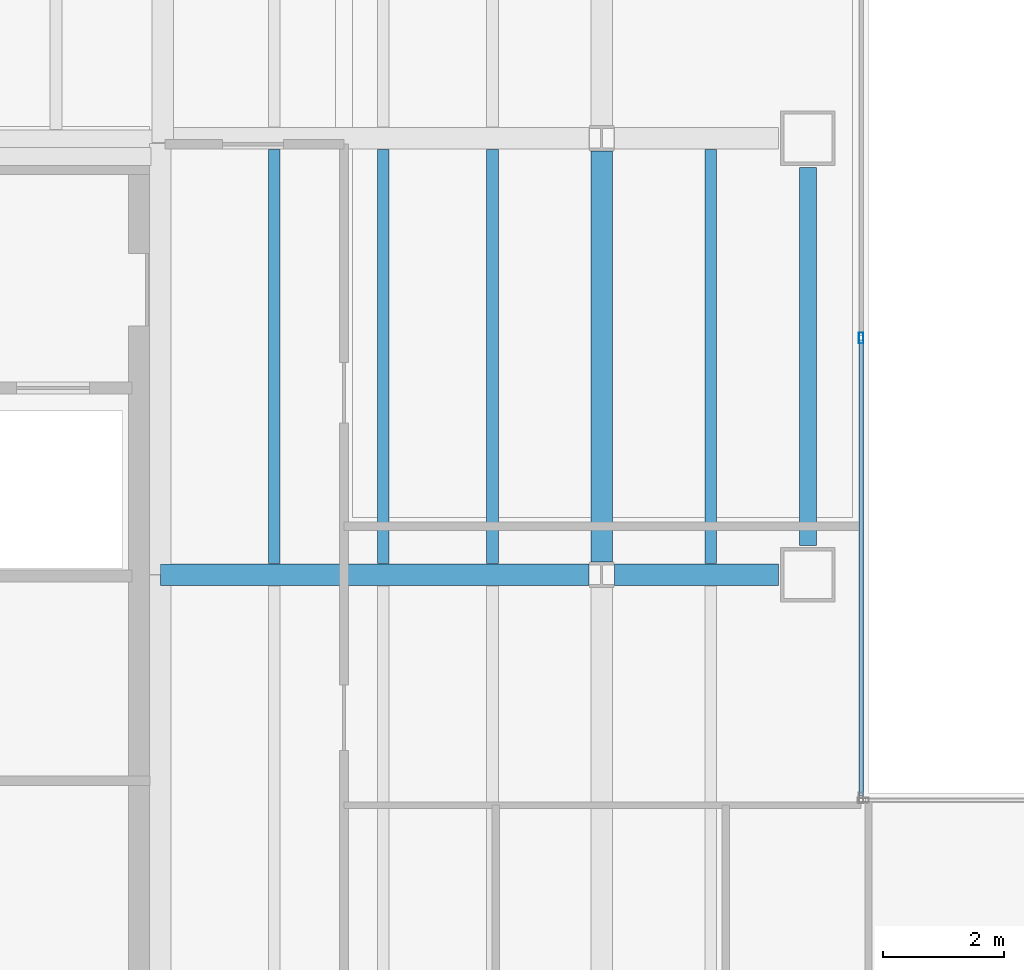
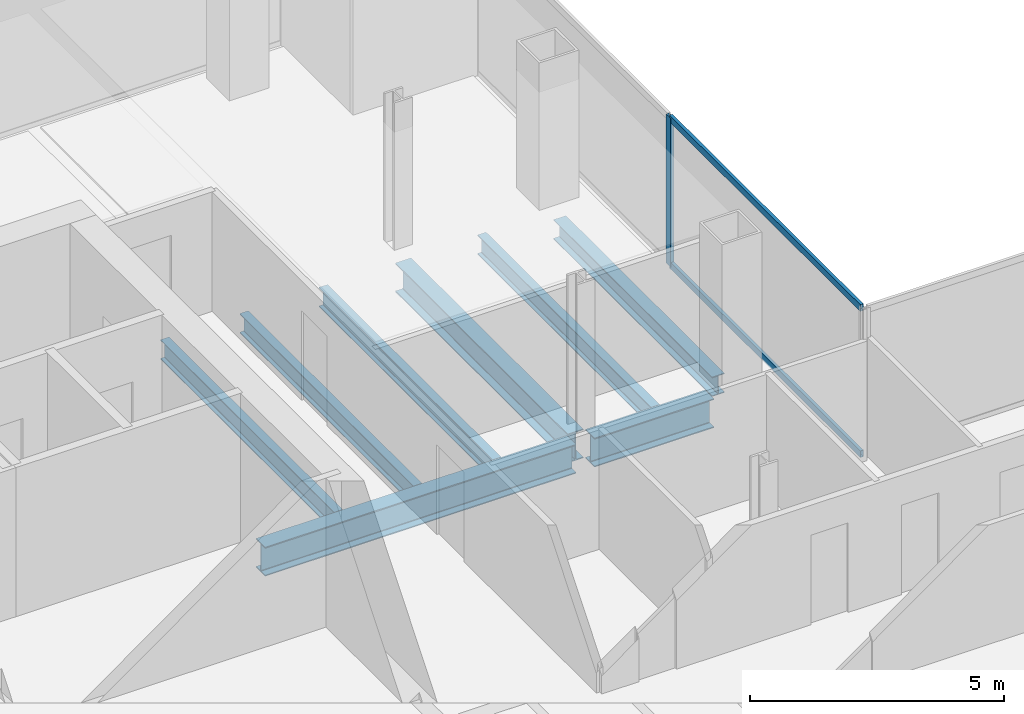
# One storey, part 8 of 23: 8 beams, 3 members, 1 element without a shape of its own.
"""IFC4 building model written with IfcOpenShell, lengths in metres."""

from ifc_helpers import new_model, si_unit, direction, frame, origin, origin_2d, place, context, subcontext, project, spatial, hollow_rectangle, i_section, extrude, material, material_profile, profile_set, type_object, element, aggregate, save


model = new_model("IFC4")

# Units and contexts
model_context = context("Model", 3, precision=1e-05, world=origin(), true_north=direction((0.0, 1.0)))
body_context = subcontext(model_context, "Body", "Model", "MODEL_VIEW")
ifc_project = project(units=[si_unit("LENGTHUNIT", "METRE"), si_unit("AREAUNIT", "SQUARE_METRE"), si_unit("VOLUMEUNIT", "CUBIC_METRE"), si_unit("PLANEANGLEUNIT", "RADIAN"), si_unit("MASSUNIT", "GRAM", prefix="KILO")], contexts=[model_context])

# Site, building, storey
site_placement = place(None, origin())
site = spatial("IfcSite", under=ifc_project, at=site_placement, CompositionType="ELEMENT")
building_placement = place(site_placement, origin())
building = spatial("IfcBuilding", under=site, at=building_placement, Name="Cobrela Telecom Tower", CompositionType="ELEMENT")
storey_placement = place(building_placement, frame((0.0, 0.0, 117.60009765625)))
storey = spatial("IfcBuildingStorey", under=building, at=storey_placement, Name="L29", CompositionType="ELEMENT", Elevation=117.60009765625)

# Beams
ifc_material_1 = material(Name="Steel ASTM A992 Grade 50", Category="steel")
ifc_material_profile_1 = material_profile(ifc_material_1, i_section(OverallWidth=0.35595703125, OverallDepth=0.696044921875, WebThickness=0.015380859375, FlangeThickness=0.024658203125, FilletRadius=0.01806640625, at=origin_2d()), Name="W27X146")
ifc_profile_set_1 = profile_set([ifc_material_profile_1], Name="Steel ASTM A992 Grade 50")
beam_type_1 = type_object("IfcBeamType", Name="BM-GIRD-05", PredefinedType="USERDEFINED", material=ifc_profile_set_1)
beam_1_placement = place(storey_placement, frame((14.324951171875, 28.800048828125, -0.6181640625), z_axis=(1.0, 0.0, 0.0), x_axis=(0.0, 1.0, 0.0)))
element("IfcBeam", 1, at=beam_1_placement, inside=storey, type_object=beam_type_1, Name="L29 Primary Girder X23", ObjectType="GIRDER", PredefinedType="USERDEFINED", context=body_context, shape_type="SweptSolid", body=[
    extrude(i_section(OverallWidth=0.35595703125, OverallDepth=0.696044921875, WebThickness=0.015380859375, FlangeThickness=0.024658203125, FilletRadius=0.01806640625, at=origin_2d()), origin(), (0.0, 0.0, 1.0), 7.0654296875),
])
beam_2_placement = place(storey_placement, frame((21.8095703125, 28.800048828125, -0.6181640625), z_axis=(1.0, 0.0, 0.0), x_axis=(0.0, 1.0, 0.0)))
element("IfcBeam", 2, at=beam_2_placement, inside=storey, type_object=beam_type_1, Name="L29 Primary Girder X24", ObjectType="GIRDER", PredefinedType="USERDEFINED", context=body_context, shape_type="SweptSolid", body=[
    extrude(i_section(OverallWidth=0.35595703125, OverallDepth=0.696044921875, WebThickness=0.015380859375, FlangeThickness=0.024658203125, FilletRadius=0.01806640625, at=origin_2d()), origin(), (0.0, 0.0, 1.0), 2.71044921875),
])
beam_3_placement = place(storey_placement, frame((21.60009765625, 29.009521484375, -0.6181640625), z_axis=(0.0, 1.0, 0.0), x_axis=(-1.0, 0.0, 0.0)))
element("IfcBeam", 3, at=beam_3_placement, inside=storey, type_object=beam_type_1, Name="L29 Primary Girder Y43", ObjectType="GIRDER", PredefinedType="USERDEFINED", context=body_context, shape_type="SweptSolid", body=[
    extrude(i_section(OverallWidth=0.35595703125, OverallDepth=0.696044921875, WebThickness=0.015380859375, FlangeThickness=0.024658203125, FilletRadius=0.01806640625, at=origin_2d()), origin(), (0.0, 0.0, 1.0), 6.781005859375),
])
ifc_material_profile_2 = material_profile(ifc_material_1, i_section(OverallWidth=0.193115234375, OverallDepth=0.467041015625, WebThickness=0.011474609375, FlangeThickness=0.01904296875, FilletRadius=0.012939453125, at=origin_2d()), Name="W18X65")
ifc_profile_set_2 = profile_set([ifc_material_profile_2], Name="Steel ASTM A992 Grade 50")
beam_type_2 = type_object("IfcBeamType", Name="BM-JOIST-03", PredefinedType="JOIST", material=ifc_profile_set_2)
for number, where, z_axis, x_axis, name in (
    (4, (16.199951171875, 28.98291015625, -0.503662109375), (0.0, 1.0, 0.0), (-1.0, 0.0, 0.0), "L29 Secondary Composite Floor Beam J07"),
    (5, (18.0, 28.98291015625, -0.503662109375), (0.0, 1.0, 0.0), (-1.0, 0.0, 0.0), "L29 Secondary Composite Floor Beam J12"),
    (6, (19.800048828125, 28.98291015625, -0.503662109375), (0.0, 1.0, 0.0), (-1.0, 0.0, 0.0), "L29 Secondary Composite Floor Beam J17"),
    (7, (23.39990234375, 28.98291015625, -0.503662109375), (0.0, 1.0, 0.0), (-1.0, 0.0, 0.0), "L29 Secondary Composite Floor Beam J22"),
):
    element("IfcBeam", number, at=place(storey_placement, frame(where, z_axis=z_axis, x_axis=x_axis)), inside=storey, type_object=beam_type_2, Name=name, PredefinedType="JOIST", context=body_context, shape_type="SweptSolid", body=[
        extrude(i_section(OverallWidth=0.193115234375, OverallDepth=0.467041015625, WebThickness=0.011474609375, FlangeThickness=0.01904296875, FilletRadius=0.012939453125, at=origin_2d()), origin(), (0.0, 0.0, 1.0), 6.833984375),
    ])
ifc_material_profile_3 = material_profile(ifc_material_1, i_section(OverallWidth=0.281982421875, OverallDepth=0.467041015625, WebThickness=0.01220703125, FlangeThickness=0.01953125, FilletRadius=0.012939453125, at=origin_2d()), Name="W18X86")
ifc_profile_set_3 = profile_set([ifc_material_profile_3], Name="Steel ASTM A992 Grade 50")
beam_type_3 = type_object("IfcBeamType", Name="BM-SPAND-04", PredefinedType="SPANDREL", material=ifc_profile_set_3)
beam_4_placement = place(storey_placement, frame((25.0, 29.280029296875, -0.503662109375), z_axis=(0.0, 1.0, 0.0), x_axis=(-1.0, 0.0, 0.0)))
element("IfcBeam", 8, at=beam_4_placement, inside=storey, type_object=beam_type_3, Name="L29 Perimeter Spandrel Y45", PredefinedType="SPANDREL", context=body_context, shape_type="SweptSolid", body=[
    extrude(i_section(OverallWidth=0.281982421875, OverallDepth=0.467041015625, WebThickness=0.01220703125, FlangeThickness=0.01953125, FilletRadius=0.012939453125, at=origin_2d()), origin(), (0.0, 0.0, 1.0), 6.239990234375),
])

# Curtain wall, members
ifc_material_2 = material(Name="Anodized Bronze Aluminium 6063-T6", Category="aluminium")
curtain_wall_type = type_object("IfcCurtainWallType", Name="CW-SYS-TEL", PredefinedType="USERDEFINED", material=ifc_material_2)
curtain_wall_placement = place(storey_placement, origin())
curtain_wall = element("IfcCurtainWall", 9, at=curtain_wall_placement, inside=storey, type_object=curtain_wall_type, Name="L29 Unitised Bronze Curtain Wall 10", ObjectType="UNITISED CURTAIN WALL", PredefinedType="USERDEFINED")
ifc_material_profile_4 = material_profile(ifc_material_2, hollow_rectangle(XDim=0.074951171875, YDim=0.179931640625, WallThickness=0.00390625, at=origin_2d()), Name="ALU 75x180x4")
ifc_profile_set_4 = profile_set([ifc_material_profile_4], Name="Anodized Bronze Aluminium 6063-T6")
member_type_1 = type_object("IfcMemberType", Name="CW-SYS-TEL-MUL", PredefinedType="MULLION", material=ifc_profile_set_4)
member_1_placement = place(storey_placement, frame((25.8798828125, 32.705078125, 0.0), z_axis=(0.0, 0.0, 1.0), x_axis=(1.0, 0.0, 0.0)))
member_1 = element("IfcMember", 10, at=member_1_placement, type_object=member_type_1, Name="CW-TEL mullion 2", PredefinedType="MULLION", context=body_context, shape_type="SweptSolid", body=[
    extrude(hollow_rectangle(XDim=0.074951171875, YDim=0.179931640625, WallThickness=0.00390625, at=origin_2d()), origin(), (0.0, 0.0, 1.0), 3.579833984375),
])
ifc_material_profile_5 = material_profile(ifc_material_2, hollow_rectangle(XDim=0.070068359375, YDim=0.159912109375, WallThickness=0.00390625, at=origin_2d()), Name="ALU 70x160x4")
ifc_profile_set_5 = profile_set([ifc_material_profile_5], Name="Anodized Bronze Aluminium 6063-T6")
member_type_2 = type_object("IfcMemberType", Name="CW-SYS-TEL-TRN", PredefinedType="USERDEFINED", material=ifc_profile_set_5)
member_2_placement = place(storey_placement, frame((25.8798828125, 32.66748046875, 0.034912109375), z_axis=(0.0, -1.0, 0.0), x_axis=(1.0, 0.0, 0.0)))
member_2 = element("IfcMember", 11, at=member_2_placement, type_object=member_type_2, Name="CW-TEL transom 2.1", ObjectType="TRANSOM", PredefinedType="USERDEFINED", context=body_context, shape_type="SweptSolid", body=[
    extrude(hollow_rectangle(XDim=0.070068359375, YDim=0.159912109375, WallThickness=0.00390625, at=origin_2d()), origin(), (0.0, 0.0, 1.0), 7.512451171875),
])
member_3_placement = place(storey_placement, frame((25.8798828125, 32.66748046875, 3.544921875), z_axis=(0.0, -1.0, 0.0), x_axis=(1.0, 0.0, 0.0)))
member_3 = element("IfcMember", 12, at=member_3_placement, type_object=member_type_2, Name="CW-TEL transom 2.2", ObjectType="TRANSOM", PredefinedType="USERDEFINED", context=body_context, shape_type="SweptSolid", body=[
    extrude(hollow_rectangle(XDim=0.070068359375, YDim=0.159912109375, WallThickness=0.00390625, at=origin_2d()), origin(), (0.0, 0.0, 1.0), 7.512451171875),
])
aggregate(curtain_wall, [member_1, member_2, member_3])

save(model, "model.ifc")
